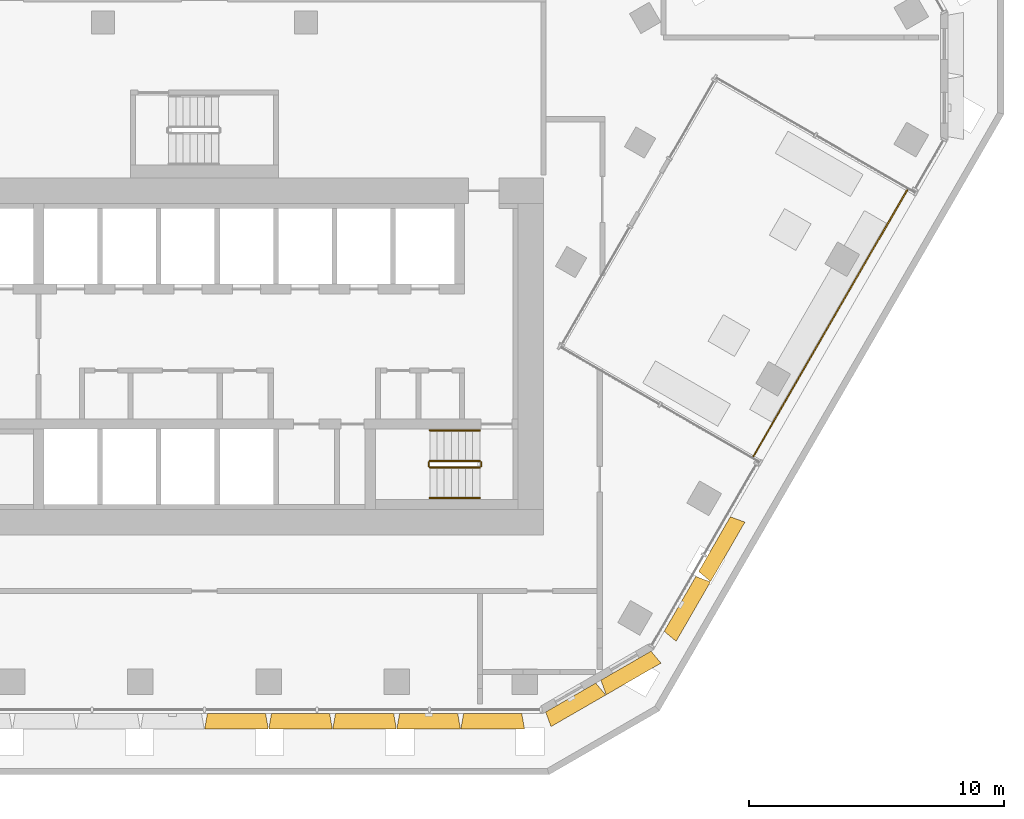
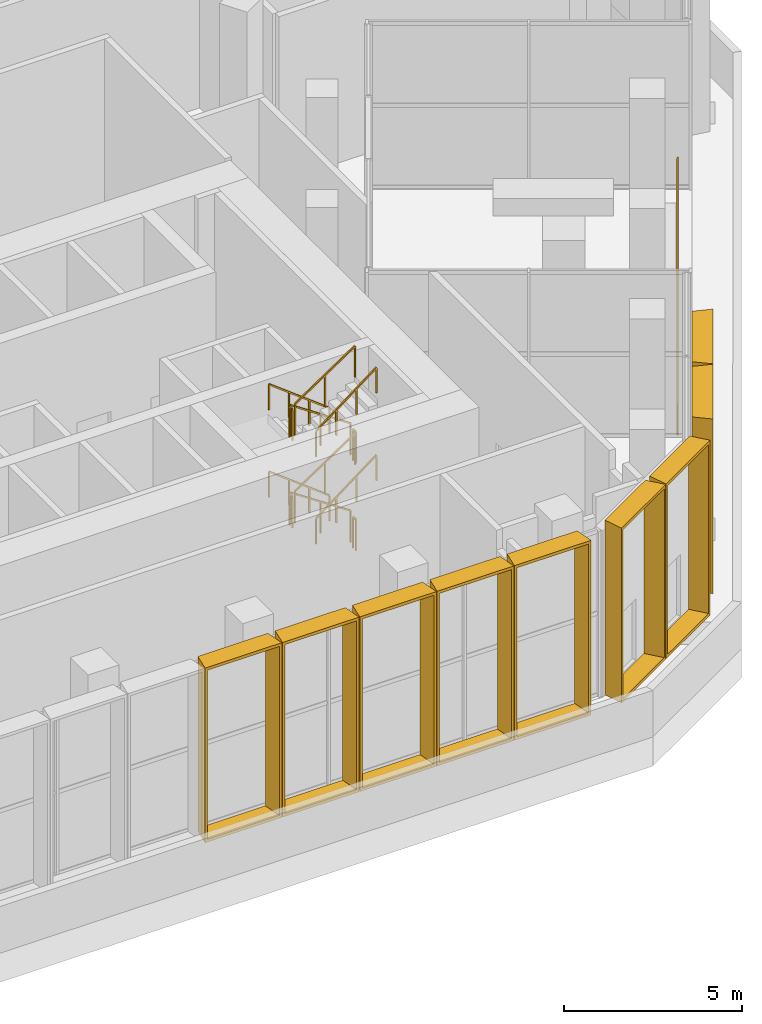
# One storey, part 21 of 23: 13 railings, 9 shading devices.
"""IFC4 building model written with IfcOpenShell, lengths in metres."""

from ifc_helpers import new_model, entity, si_unit, direction, frame, origin, origin_2d, place, context, subcontext, project, spatial, rectangle, extrude, source, transform, mapped, material, type_object, type_shapes, element, save


model = new_model("IFC4")

# Units and contexts
model_context = context("Model", 3, precision=1e-05, world=origin(), true_north=direction((0.0, 1.0)))
body_context = subcontext(model_context, "Body", "Model", "MODEL_VIEW")
ifc_project = project(units=[si_unit("LENGTHUNIT", "METRE"), si_unit("AREAUNIT", "SQUARE_METRE"), si_unit("VOLUMEUNIT", "CUBIC_METRE"), si_unit("PLANEANGLEUNIT", "RADIAN"), si_unit("MASSUNIT", "GRAM", prefix="KILO")], contexts=[model_context])

# Site, building, storey
site_placement = place(None, origin())
site = spatial("IfcSite", under=ifc_project, at=site_placement, CompositionType="ELEMENT")
building_placement = place(site_placement, origin())
building = spatial("IfcBuilding", under=site, at=building_placement, Name="Beryl Residences", CompositionType="ELEMENT")
storey_placement = place(building_placement, frame((0.0, 0.0, 66.0)))
storey = spatial("IfcBuildingStorey", under=building, at=storey_placement, Name="L20", CompositionType="ELEMENT", Elevation=66.0)

# Shading devices
ifc_material_1 = material(Name="Aluminium pale anodised", Category="aluminium")
shading_device_type_1 = type_object("IfcShadingDeviceType", Name="FR250-60A-H60 OUTER SKIN frame 600 mm deep, splay 10/10 deg, 2500 x 6000 mm cell", PredefinedType="USERDEFINED", material=ifc_material_1)
cartesian_point_1 = entity("IfcCartesianPoint", [-1.134033203125, 0.0])
cartesian_point_2 = entity("IfcCartesianPoint", [-1.052734375, 0.10009765625])
cartesian_point_3 = entity("IfcCartesianPoint", [-1.23974609375, 0.0])
cartesian_point_4 = entity("IfcCartesianPoint", [-1.158447265625, 0.10009765625])
shared_shape_1 = source(origin(), body_context, "Body", "SweptSolid", [
    entity("IfcExtrudedAreaSolidTapered", entity("IfcArbitraryProfileDefWithVoids", "AREA", None, entity("IfcPolyline", [cartesian_point_1, entity("IfcCartesianPoint", [1.134033203125, 0.0]), entity("IfcCartesianPoint", [1.134033203125, 6.0]), entity("IfcCartesianPoint", [-1.134033203125, 6.0]), cartesian_point_1]), [entity("IfcPolyline", [cartesian_point_2, entity("IfcCartesianPoint", [1.052734375, 0.10009765625]), entity("IfcCartesianPoint", [1.052734375, 5.89990234375]), entity("IfcCartesianPoint", [-1.052734375, 5.89990234375]), cartesian_point_2])]), entity("IfcAxis2Placement3D", entity("IfcCartesianPoint", [0.0, 0.0, 0.0]), entity("IfcDirection", [0.0, 1.0, 0.0]), entity("IfcDirection", [-1.0, 0.0, 0.0])), entity("IfcDirection", [0.0, 0.0, 1.0]), 0.60009765625, entity("IfcArbitraryProfileDefWithVoids", "AREA", None, entity("IfcPolyline", [cartesian_point_3, entity("IfcCartesianPoint", [1.23974609375, 0.0]), entity("IfcCartesianPoint", [1.23974609375, 6.0]), entity("IfcCartesianPoint", [-1.23974609375, 6.0]), cartesian_point_3]), [entity("IfcPolyline", [cartesian_point_4, entity("IfcCartesianPoint", [1.158447265625, 0.10009765625]), entity("IfcCartesianPoint", [1.158447265625, 5.89990234375]), entity("IfcCartesianPoint", [-1.158447265625, 5.89990234375]), cartesian_point_4])])),
])
type_shapes(shading_device_type_1, [shared_shape_1])
for number, where, z_axis, x_axis, name in (
    (1, (14.361083984375, -25.375, 0.0), (0.0, 0.0, 1.0), (-0.866025403784, -0.5, 0.0), "FR250-60A-H60 frame L20 S-SE 1"),
    (2, (16.527099609375, -24.125, 0.0), (0.0, 0.0, 1.0), (-0.866025403784, -0.5, 0.0), "FR250-60A-H60 frame L20 S-SE 2"),
):
    element("IfcShadingDevice", number, at=place(storey_placement, frame(where, z_axis=z_axis, x_axis=x_axis)), inside=storey, type_object=shading_device_type_1, Name=name, ObjectType="OUTER SKIN", PredefinedType="USERDEFINED", context=body_context, shape_type="MappedRepresentation", body=[
        mapped(shared_shape_1, transform((0.0, 0.0, 0.0))),
    ])
ifc_material_2 = material(Name="Aluminium pale anodised", Category="aluminium")
shading_device_type_2 = type_object("IfcShadingDeviceType", Name="FR251-60A-H60 OUTER SKIN frame 600 mm deep, splay 10/10 deg, 2510 x 6000 mm cell", PredefinedType="USERDEFINED", material=ifc_material_2)
cartesian_point_5 = entity("IfcCartesianPoint", [-1.138916015625, 0.0])
cartesian_point_6 = entity("IfcCartesianPoint", [-1.057861328125, 0.10009765625])
cartesian_point_7 = entity("IfcCartesianPoint", [-1.244873046875, 0.0])
cartesian_point_8 = entity("IfcCartesianPoint", [-1.16357421875, 0.10009765625])
shared_shape_2 = source(origin(), body_context, "Body", "SweptSolid", [
    entity("IfcExtrudedAreaSolidTapered", entity("IfcArbitraryProfileDefWithVoids", "AREA", None, entity("IfcPolyline", [cartesian_point_5, entity("IfcCartesianPoint", [1.138916015625, 0.0]), entity("IfcCartesianPoint", [1.138916015625, 6.0]), entity("IfcCartesianPoint", [-1.138916015625, 6.0]), cartesian_point_5]), [entity("IfcPolyline", [cartesian_point_6, entity("IfcCartesianPoint", [1.057861328125, 0.10009765625]), entity("IfcCartesianPoint", [1.057861328125, 5.89990234375]), entity("IfcCartesianPoint", [-1.057861328125, 5.89990234375]), cartesian_point_6])]), entity("IfcAxis2Placement3D", entity("IfcCartesianPoint", [0.0, 0.0, 0.0]), entity("IfcDirection", [0.0, 1.0, 0.0]), entity("IfcDirection", [-1.0, 0.0, 0.0])), entity("IfcDirection", [0.0, 0.0, 1.0]), 0.60009765625, entity("IfcArbitraryProfileDefWithVoids", "AREA", None, entity("IfcPolyline", [cartesian_point_7, entity("IfcCartesianPoint", [1.244873046875, 0.0]), entity("IfcCartesianPoint", [1.244873046875, 6.0]), entity("IfcCartesianPoint", [-1.244873046875, 6.0]), cartesian_point_7]), [entity("IfcPolyline", [cartesian_point_8, entity("IfcCartesianPoint", [1.16357421875, 0.10009765625]), entity("IfcCartesianPoint", [1.16357421875, 5.89990234375]), entity("IfcCartesianPoint", [-1.16357421875, 5.89990234375]), cartesian_point_8])])),
])
type_shapes(shading_device_type_2, [shared_shape_2])
for number, where, z_axis, x_axis, name in (
    (3, (1.256103515625, -26.0, 0.0), (0.0, 0.0, 1.0), (-1.0, 0.0, 0.0), "FR251-60A-H60 frame L20 S 6"),
    (4, (3.76806640625, -26.0, 0.0), (0.0, 0.0, 1.0), (-1.0, 0.0, 0.0), "FR251-60A-H60 frame L20 S 7"),
    (5, (6.279052734375, -26.0, 0.0), (0.0, 0.0, 1.0), (-1.0, 0.0, 0.0), "FR251-60A-H60 frame L20 S 8"),
    (6, (8.791015625, -26.0, 0.0), (0.0, 0.0, 1.0), (-1.0, 0.0, 0.0), "FR251-60A-H60 frame L20 S 9"),
    (7, (11.302001953125, -26.0, 0.0), (0.0, 0.0, 1.0), (-1.0, 0.0, 0.0), "FR251-60A-H60 frame L20 S 10"),
):
    element("IfcShadingDevice", number, at=place(storey_placement, frame(where, z_axis=z_axis, x_axis=x_axis)), inside=storey, type_object=shading_device_type_2, Name=name, ObjectType="OUTER SKIN", PredefinedType="USERDEFINED", context=body_context, shape_type="MappedRepresentation", body=[
        mapped(shared_shape_2, transform((0.0, 0.0, 0.0))),
    ])
ifc_material_3 = material(Name="Aluminium pale anodised", Category="aluminium")
shading_device_type_3 = type_object("IfcShadingDeviceType", Name="FR271-60A-H60 OUTER SKIN frame 600 mm deep, splay 10/10 deg, 2710 x 6000 mm cell", PredefinedType="USERDEFINED", material=ifc_material_3)
cartesian_point_9 = entity("IfcCartesianPoint", [-1.239013671875, 0.0])
cartesian_point_10 = entity("IfcCartesianPoint", [-1.15771484375, 0.10009765625])
cartesian_point_11 = entity("IfcCartesianPoint", [-1.3447265625, 0.0])
cartesian_point_12 = entity("IfcCartesianPoint", [-1.263671875, 0.10009765625])
shared_shape_3 = source(origin(), body_context, "Body", "SweptSolid", [
    entity("IfcExtrudedAreaSolidTapered", entity("IfcArbitraryProfileDefWithVoids", "AREA", None, entity("IfcPolyline", [cartesian_point_9, entity("IfcCartesianPoint", [1.239013671875, 0.0]), entity("IfcCartesianPoint", [1.239013671875, 6.0]), entity("IfcCartesianPoint", [-1.239013671875, 6.0]), cartesian_point_9]), [entity("IfcPolyline", [cartesian_point_10, entity("IfcCartesianPoint", [1.15771484375, 0.10009765625]), entity("IfcCartesianPoint", [1.15771484375, 5.89990234375]), entity("IfcCartesianPoint", [-1.15771484375, 5.89990234375]), cartesian_point_10])]), entity("IfcAxis2Placement3D", entity("IfcCartesianPoint", [0.0, 0.0, 0.0]), entity("IfcDirection", [0.0, 1.0, 0.0]), entity("IfcDirection", [-1.0, 0.0, 0.0])), entity("IfcDirection", [0.0, 0.0, 1.0]), 0.60009765625, entity("IfcArbitraryProfileDefWithVoids", "AREA", None, entity("IfcPolyline", [cartesian_point_11, entity("IfcCartesianPoint", [1.3447265625, 0.0]), entity("IfcCartesianPoint", [1.3447265625, 6.0]), entity("IfcCartesianPoint", [-1.3447265625, 6.0]), cartesian_point_11]), [entity("IfcPolyline", [cartesian_point_12, entity("IfcCartesianPoint", [1.263671875, 0.10009765625]), entity("IfcCartesianPoint", [1.263671875, 5.89990234375]), entity("IfcCartesianPoint", [-1.263671875, 5.89990234375]), cartesian_point_12])])),
])
type_shapes(shading_device_type_3, [shared_shape_3])
for number, where, z_axis, x_axis, name in (
    (8, (18.64697265625, -21.7041015625, 0.0), (0.0, 0.0, 1.0), (-0.5, -0.866025403784, 0.0), "FR271-60A-H60 frame L20 SE 1"),
    (9, (20.0, -19.360107421875, 0.0), (0.0, 0.0, 1.0), (-0.5, -0.866025403784, 0.0), "FR271-60A-H60 frame L20 SE 2"),
):
    element("IfcShadingDevice", number, at=place(storey_placement, frame(where, z_axis=z_axis, x_axis=x_axis)), inside=storey, type_object=shading_device_type_3, Name=name, ObjectType="OUTER SKIN", PredefinedType="USERDEFINED", context=body_context, shape_type="MappedRepresentation", body=[
        mapped(shared_shape_3, transform((0.0, 0.0, 0.0))),
    ])

# Railings
ifc_material_4 = material(Name="Stainless steel balustrade with glass infill", Category="steel")
railing_type_1 = type_object("IfcRailingType", Name="SG1 stair guard 1100 mm", PredefinedType="GUARDRAIL", material=ifc_material_4)
railing_1_placement = place(storey_placement, frame((10.800048828125, -16.10009765625, 0.1875)))
element("IfcRailing", 10, at=railing_1_placement, inside=storey, type_object=railing_type_1, Name="L20 ST-3 stair guard 1", PredefinedType="GUARDRAIL", context=body_context, shape_type="SweptSolid", body=[
    extrude(rectangle(XDim=0.048095703125, YDim=0.048095703125, at=origin_2d()), frame((0.0, 0.0, 1.076171875), z_axis=(-0.830902050051, 0.0, 0.556418712142), x_axis=(0.0, -1.0, 0.0)), (0.0, 0.0, 1.0), 2.35888671875),
    extrude(rectangle(XDim=0.0419921875, YDim=0.0419921875, at=origin_2d()), origin(), (0.0, 0.0, 1.0), 1.052001953125),
    extrude(rectangle(XDim=0.0419921875, YDim=0.0419921875, at=origin_2d()), frame((-0.97998046875, 0.0, 0.65625)), (0.0, 0.0, 1.0), 1.052001953125),
    extrude(rectangle(XDim=0.0419921875, YDim=0.0419921875, at=origin_2d()), frame((-1.9599609375, 0.0, 1.3125)), (0.0, 0.0, 1.0), 1.052001953125),
])
railing_2_placement = place(storey_placement, frame((8.7900390625, -16.14990234375, 1.5)))
element("IfcRailing", 11, at=railing_2_placement, inside=storey, type_object=railing_type_1, Name="L20 ST-3 stair guard 2", PredefinedType="GUARDRAIL", context=body_context, shape_type="SweptSolid", body=[
    extrude(rectangle(XDim=0.048095703125, YDim=0.048095703125, at=origin_2d()), frame((0.0, 0.0, 1.076171875), z_axis=(0.0, -1.0, 0.0), x_axis=(1.0, 0.0, 0.0)), (0.0, 0.0, 1.0), 0.150146484375),
    extrude(rectangle(XDim=0.0419921875, YDim=0.0419921875, at=origin_2d()), origin(), (0.0, 0.0, 1.0), 1.052001953125),
    extrude(rectangle(XDim=0.0419921875, YDim=0.0419921875, at=origin_2d()), frame((0.0, -0.150146484375, 0.0)), (0.0, 0.0, 1.0), 1.052001953125),
])
railing_3_placement = place(storey_placement, frame((8.840087890625, -16.35009765625, 1.6875)))
element("IfcRailing", 12, at=railing_3_placement, inside=storey, type_object=railing_type_1, Name="L20 ST-3 stair guard 3", PredefinedType="GUARDRAIL", context=body_context, shape_type="SweptSolid", body=[
    extrude(rectangle(XDim=0.048095703125, YDim=0.048095703125, at=origin_2d()), frame((0.0, 0.0, 1.076171875), z_axis=(0.830902050051, 0.0, 0.556418712142), x_axis=(0.0, 1.0, 0.0)), (0.0, 0.0, 1.0), 2.35888671875),
    extrude(rectangle(XDim=0.0419921875, YDim=0.0419921875, at=origin_2d()), origin(), (0.0, 0.0, 1.0), 1.052001953125),
    extrude(rectangle(XDim=0.0419921875, YDim=0.0419921875, at=origin_2d()), frame((0.97998046875, 0.0, 0.65625)), (0.0, 0.0, 1.0), 1.052001953125),
    extrude(rectangle(XDim=0.0419921875, YDim=0.0419921875, at=origin_2d()), frame((1.9599609375, 0.0, 1.3125)), (0.0, 0.0, 1.0), 1.052001953125),
])
railing_4_placement = place(storey_placement, frame((10.85009765625, -16.14990234375, 3.0)))
element("IfcRailing", 13, at=railing_4_placement, inside=storey, type_object=railing_type_1, Name="L20 ST-3 stair guard 4", PredefinedType="GUARDRAIL", context=body_context, shape_type="SweptSolid", body=[
    extrude(rectangle(XDim=0.048095703125, YDim=0.048095703125, at=origin_2d()), frame((0.0, 0.0, 1.076171875), z_axis=(0.0, -1.0, 0.0), x_axis=(1.0, 0.0, 0.0)), (0.0, 0.0, 1.0), 0.150146484375),
    extrude(rectangle(XDim=0.0419921875, YDim=0.0419921875, at=origin_2d()), origin(), (0.0, 0.0, 1.0), 1.052001953125),
    extrude(rectangle(XDim=0.0419921875, YDim=0.0419921875, at=origin_2d()), frame((0.0, -0.150146484375, 0.0)), (0.0, 0.0, 1.0), 1.052001953125),
])
railing_5_placement = place(storey_placement, frame((10.800048828125, -16.10009765625, 3.1875)))
element("IfcRailing", 14, at=railing_5_placement, inside=storey, type_object=railing_type_1, Name="L20 ST-3 stair guard 5", PredefinedType="GUARDRAIL", context=body_context, shape_type="SweptSolid", body=[
    extrude(rectangle(XDim=0.048095703125, YDim=0.048095703125, at=origin_2d()), frame((0.0, 0.0, 1.076171875), z_axis=(-0.830902050051, 0.0, 0.556418712142), x_axis=(0.0, -1.0, 0.0)), (0.0, 0.0, 1.0), 2.35888671875),
    extrude(rectangle(XDim=0.0419921875, YDim=0.0419921875, at=origin_2d()), origin(), (0.0, 0.0, 1.0), 1.052001953125),
    extrude(rectangle(XDim=0.0419921875, YDim=0.0419921875, at=origin_2d()), frame((-0.97998046875, 0.0, 0.65625)), (0.0, 0.0, 1.0), 1.052001953125),
    extrude(rectangle(XDim=0.0419921875, YDim=0.0419921875, at=origin_2d()), frame((-1.9599609375, 0.0, 1.3125)), (0.0, 0.0, 1.0), 1.052001953125),
])
railing_6_placement = place(storey_placement, frame((8.7900390625, -16.14990234375, 4.5)))
element("IfcRailing", 15, at=railing_6_placement, inside=storey, type_object=railing_type_1, Name="L20 ST-3 stair guard 6", PredefinedType="GUARDRAIL", context=body_context, shape_type="SweptSolid", body=[
    extrude(rectangle(XDim=0.048095703125, YDim=0.048095703125, at=origin_2d()), frame((0.0, 0.0, 1.076171875), z_axis=(0.0, -1.0, 0.0), x_axis=(1.0, 0.0, 0.0)), (0.0, 0.0, 1.0), 0.150146484375),
    extrude(rectangle(XDim=0.0419921875, YDim=0.0419921875, at=origin_2d()), origin(), (0.0, 0.0, 1.0), 1.052001953125),
    extrude(rectangle(XDim=0.0419921875, YDim=0.0419921875, at=origin_2d()), frame((0.0, -0.150146484375, 0.0)), (0.0, 0.0, 1.0), 1.052001953125),
])
railing_7_placement = place(storey_placement, frame((8.840087890625, -16.35009765625, 4.6875)))
element("IfcRailing", 16, at=railing_7_placement, inside=storey, type_object=railing_type_1, Name="L20 ST-3 stair guard 7", PredefinedType="GUARDRAIL", context=body_context, shape_type="SweptSolid", body=[
    extrude(rectangle(XDim=0.048095703125, YDim=0.048095703125, at=origin_2d()), frame((0.0, 0.0, 1.076171875), z_axis=(0.830902050051, 0.0, 0.556418712142), x_axis=(0.0, 1.0, 0.0)), (0.0, 0.0, 1.0), 2.35888671875),
    extrude(rectangle(XDim=0.0419921875, YDim=0.0419921875, at=origin_2d()), origin(), (0.0, 0.0, 1.0), 1.052001953125),
    extrude(rectangle(XDim=0.0419921875, YDim=0.0419921875, at=origin_2d()), frame((0.97998046875, 0.0, 0.65625)), (0.0, 0.0, 1.0), 1.052001953125),
    extrude(rectangle(XDim=0.0419921875, YDim=0.0419921875, at=origin_2d()), frame((1.9599609375, 0.0, 1.3125)), (0.0, 0.0, 1.0), 1.052001953125),
])
railing_8_placement = place(storey_placement, frame((10.85009765625, -16.14990234375, 0.0)))
element("IfcRailing", 17, at=railing_8_placement, inside=storey, type_object=railing_type_1, Name="L20 ST-3 stair guard 8", PredefinedType="GUARDRAIL", context=body_context, shape_type="SweptSolid", body=[
    extrude(rectangle(XDim=0.048095703125, YDim=0.048095703125, at=origin_2d()), frame((0.0, 0.0, 1.076171875), z_axis=(0.0, -1.0, 0.0), x_axis=(1.0, 0.0, 0.0)), (0.0, 0.0, 1.0), 0.150146484375),
    extrude(rectangle(XDim=0.0419921875, YDim=0.0419921875, at=origin_2d()), origin(), (0.0, 0.0, 1.0), 1.052001953125),
    extrude(rectangle(XDim=0.0419921875, YDim=0.0419921875, at=origin_2d()), frame((0.0, -0.150146484375, 0.0)), (0.0, 0.0, 1.0), 1.052001953125),
])
ifc_material_5 = material(Name="Stainless steel handrail", Category="steel")
railing_type_2 = type_object("IfcRailingType", Name="SRL1 stair handrail 900 mm", PredefinedType="HANDRAIL", material=ifc_material_5)
railing_9_placement = place(storey_placement, frame((10.800048828125, -14.89990234375, 0.1875)))
element("IfcRailing", 18, at=railing_9_placement, inside=storey, type_object=railing_type_2, Name="L20 ST-3 stair handrail 1", PredefinedType="HANDRAIL", context=body_context, shape_type="SweptSolid", body=[
    extrude(rectangle(XDim=0.048095703125, YDim=0.048095703125, at=origin_2d()), frame((0.0, 0.0, 0.8759765625), z_axis=(-0.794121922505, 0.0, 0.607758481798), x_axis=(0.0, -1.0, 0.0)), (0.0, 0.0, 1.0), 2.468017578125),
    extrude(rectangle(XDim=0.0419921875, YDim=0.0419921875, at=origin_2d()), origin(), (0.0, 0.0, 1.0), 0.851806640625),
    extrude(rectangle(XDim=0.0419921875, YDim=0.0419921875, at=origin_2d()), frame((-0.6533203125, 0.0, 0.5)), (0.0, 0.0, 1.0), 0.851806640625),
    extrude(rectangle(XDim=0.0419921875, YDim=0.0419921875, at=origin_2d()), frame((-1.306640625, 0.0, 1.0)), (0.0, 0.0, 1.0), 0.851806640625),
    extrude(rectangle(XDim=0.0419921875, YDim=0.0419921875, at=origin_2d()), frame((-1.9599609375, 0.0, 1.5)), (0.0, 0.0, 1.0), 0.851806640625),
])
railing_10_placement = place(storey_placement, frame((8.840087890625, -17.550048828125, 1.6875)))
element("IfcRailing", 19, at=railing_10_placement, inside=storey, type_object=railing_type_2, Name="L20 ST-3 stair handrail 2", PredefinedType="HANDRAIL", context=body_context, shape_type="SweptSolid", body=[
    extrude(rectangle(XDim=0.048095703125, YDim=0.048095703125, at=origin_2d()), frame((0.0, 0.0, 0.8759765625), z_axis=(0.794121922505, 0.0, 0.607758481798), x_axis=(0.0, 1.0, 0.0)), (0.0, 0.0, 1.0), 2.468017578125),
    extrude(rectangle(XDim=0.0419921875, YDim=0.0419921875, at=origin_2d()), origin(), (0.0, 0.0, 1.0), 0.851806640625),
    extrude(rectangle(XDim=0.0419921875, YDim=0.0419921875, at=origin_2d()), frame((0.6533203125, 0.0, 0.5)), (0.0, 0.0, 1.0), 0.851806640625),
    extrude(rectangle(XDim=0.0419921875, YDim=0.0419921875, at=origin_2d()), frame((1.306640625, 0.0, 1.0)), (0.0, 0.0, 1.0), 0.851806640625),
    extrude(rectangle(XDim=0.0419921875, YDim=0.0419921875, at=origin_2d()), frame((1.9599609375, 0.0, 1.5)), (0.0, 0.0, 1.0), 0.851806640625),
])
railing_11_placement = place(storey_placement, frame((10.800048828125, -14.89990234375, 3.1875)))
element("IfcRailing", 20, at=railing_11_placement, inside=storey, type_object=railing_type_2, Name="L20 ST-3 stair handrail 3", PredefinedType="HANDRAIL", context=body_context, shape_type="SweptSolid", body=[
    extrude(rectangle(XDim=0.048095703125, YDim=0.048095703125, at=origin_2d()), frame((0.0, 0.0, 0.8759765625), z_axis=(-0.794121922505, 0.0, 0.607758481798), x_axis=(0.0, -1.0, 0.0)), (0.0, 0.0, 1.0), 2.468017578125),
    extrude(rectangle(XDim=0.0419921875, YDim=0.0419921875, at=origin_2d()), origin(), (0.0, 0.0, 1.0), 0.851806640625),
    extrude(rectangle(XDim=0.0419921875, YDim=0.0419921875, at=origin_2d()), frame((-0.6533203125, 0.0, 0.5)), (0.0, 0.0, 1.0), 0.851806640625),
    extrude(rectangle(XDim=0.0419921875, YDim=0.0419921875, at=origin_2d()), frame((-1.306640625, 0.0, 1.0)), (0.0, 0.0, 1.0), 0.851806640625),
    extrude(rectangle(XDim=0.0419921875, YDim=0.0419921875, at=origin_2d()), frame((-1.9599609375, 0.0, 1.5)), (0.0, 0.0, 1.0), 0.851806640625),
])
railing_12_placement = place(storey_placement, frame((8.840087890625, -17.550048828125, 4.6875)))
element("IfcRailing", 21, at=railing_12_placement, inside=storey, type_object=railing_type_2, Name="L20 ST-3 stair handrail 4", PredefinedType="HANDRAIL", context=body_context, shape_type="SweptSolid", body=[
    extrude(rectangle(XDim=0.048095703125, YDim=0.048095703125, at=origin_2d()), frame((0.0, 0.0, 0.8759765625), z_axis=(0.794121922505, 0.0, 0.607758481798), x_axis=(0.0, 1.0, 0.0)), (0.0, 0.0, 1.0), 2.468017578125),
    extrude(rectangle(XDim=0.0419921875, YDim=0.0419921875, at=origin_2d()), origin(), (0.0, 0.0, 1.0), 0.851806640625),
    extrude(rectangle(XDim=0.0419921875, YDim=0.0419921875, at=origin_2d()), frame((0.6533203125, 0.0, 0.5)), (0.0, 0.0, 1.0), 0.851806640625),
    extrude(rectangle(XDim=0.0419921875, YDim=0.0419921875, at=origin_2d()), frame((1.306640625, 0.0, 1.0)), (0.0, 0.0, 1.0), 0.851806640625),
    extrude(rectangle(XDim=0.0419921875, YDim=0.0419921875, at=origin_2d()), frame((1.9599609375, 0.0, 1.5)), (0.0, 0.0, 1.0), 0.851806640625),
])
ifc_material_6 = material(Name="Stainless steel and clear glass", Category="steel")
railing_type_3 = type_object("IfcRailingType", Name="XG1 guard 1100 mm", PredefinedType="GUARDRAIL", material=ifc_material_6)
railing_13_placement = place(storey_placement, frame((21.52392578125, -15.919921875, 0.0)))
element("IfcRailing", 22, at=railing_13_placement, inside=storey, type_object=railing_type_3, Name="XG1 guard L20 SE garden edge", PredefinedType="GUARDRAIL", context=body_context, shape_type="SweptSolid", body=[
    extrude(rectangle(XDim=0.048095703125, YDim=0.048095703125, at=origin_2d()), frame((0.0, 0.0, 1.076171875), z_axis=(0.499993700073, 0.866029041019, 0.0), x_axis=(-0.866029041019, 0.499993700073, 0.0)), (0.0, 0.0, 1.0), 12.050537109375),
    extrude(rectangle(XDim=0.0419921875, YDim=0.0419921875, at=origin_2d()), origin(), (0.0, 0.0, 1.0), 1.052001953125),
    extrude(rectangle(XDim=0.0419921875, YDim=0.0419921875, at=origin_2d()), frame((0.5478515625, 0.94873046875, 0.0)), (0.0, 0.0, 1.0), 1.052001953125),
    extrude(rectangle(XDim=0.0419921875, YDim=0.0419921875, at=origin_2d()), frame((1.095458984375, 1.8974609375, 0.0)), (0.0, 0.0, 1.0), 1.052001953125),
    extrude(rectangle(XDim=0.0419921875, YDim=0.0419921875, at=origin_2d()), frame((1.643310546875, 2.84619140625, 0.0)), (0.0, 0.0, 1.0), 1.052001953125),
    extrude(rectangle(XDim=0.0419921875, YDim=0.0419921875, at=origin_2d()), frame((2.19091796875, 3.794921875, 0.0)), (0.0, 0.0, 1.0), 1.052001953125),
    extrude(rectangle(XDim=0.0419921875, YDim=0.0419921875, at=origin_2d()), frame((2.73876953125, 4.74365234375, 0.0)), (0.0, 0.0, 1.0), 1.052001953125),
    extrude(rectangle(XDim=0.0419921875, YDim=0.0419921875, at=origin_2d()), frame((3.286376953125, 5.6923828125, 0.0)), (0.0, 0.0, 1.0), 1.052001953125),
    extrude(rectangle(XDim=0.0419921875, YDim=0.0419921875, at=origin_2d()), frame((3.834228515625, 6.64111328125, 0.0)), (0.0, 0.0, 1.0), 1.052001953125),
    extrude(rectangle(XDim=0.0419921875, YDim=0.0419921875, at=origin_2d()), frame((4.3818359375, 7.58984375, 0.0)), (0.0, 0.0, 1.0), 1.052001953125),
    extrude(rectangle(XDim=0.0419921875, YDim=0.0419921875, at=origin_2d()), frame((4.9296875, 8.53857421875, 0.0)), (0.0, 0.0, 1.0), 1.052001953125),
    extrude(rectangle(XDim=0.0419921875, YDim=0.0419921875, at=origin_2d()), frame((5.477294921875, 9.4873046875, 0.0)), (0.0, 0.0, 1.0), 1.052001953125),
    extrude(rectangle(XDim=0.0419921875, YDim=0.0419921875, at=origin_2d()), frame((6.025146484375, 10.43603515625, 0.0)), (0.0, 0.0, 1.0), 1.052001953125),
])

save(model, "model.ifc")
